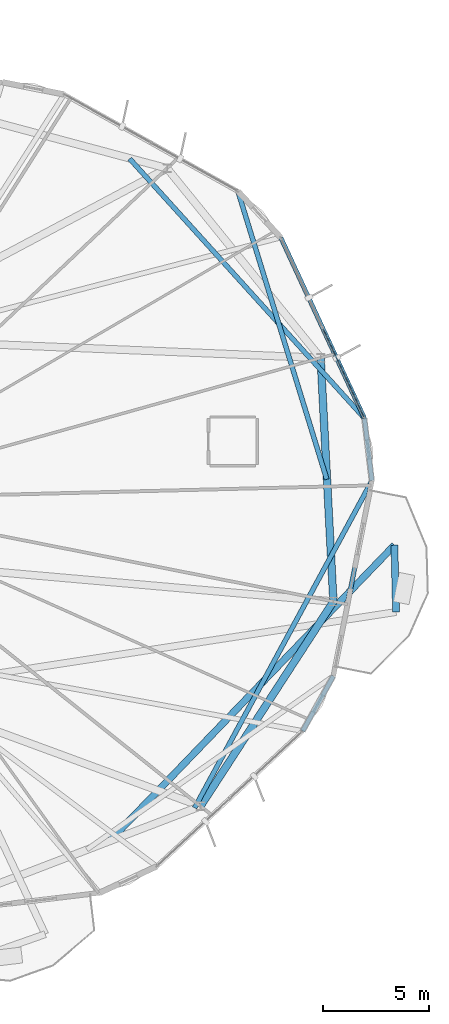
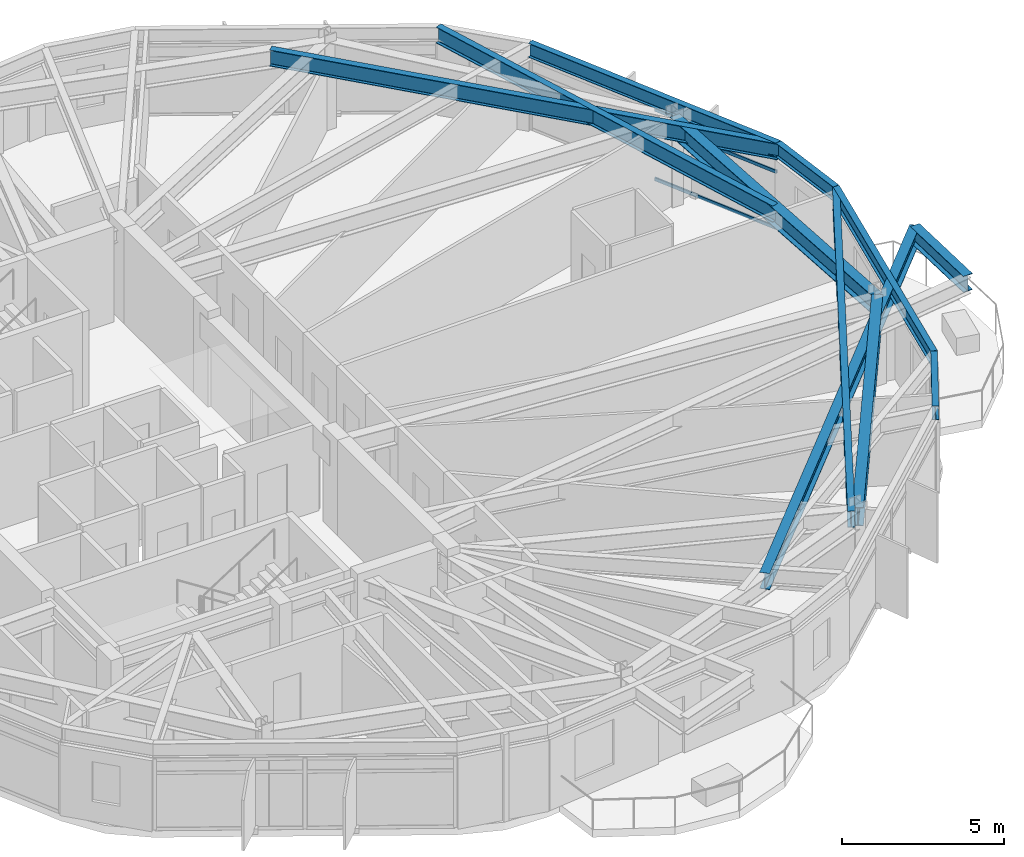
# One storey, part 10 of 25: 11 beams, 3 members, 1 element without a shape of its own.
"""IFC4 building model written with IfcOpenShell, lengths in metres."""

from ifc_helpers import new_model, si_unit, direction, frame, origin, origin_2d, place, context, subcontext, project, spatial, hollow_rectangle, i_section, extrude, material, layer, layer_set, material_profile, profile_set, type_object, element, aggregate, save


model = new_model("IFC4")

# Units and contexts
model_context = context("Model", 3, precision=1e-05, world=origin(), true_north=direction((0.0, 1.0)))
body_context = subcontext(model_context, "Body", "Model", "MODEL_VIEW")
ifc_project = project(units=[si_unit("LENGTHUNIT", "METRE"), si_unit("AREAUNIT", "SQUARE_METRE"), si_unit("VOLUMEUNIT", "CUBIC_METRE"), si_unit("PLANEANGLEUNIT", "RADIAN"), si_unit("MASSUNIT", "GRAM", prefix="KILO")], contexts=[model_context])

# Site, building, storey
site_placement = place(None, origin())
site = spatial("IfcSite", under=ifc_project, at=site_placement, CompositionType="ELEMENT")
building_placement = place(site_placement, origin())
building = spatial("IfcBuilding", under=site, at=building_placement, Name="Soratama Intermodal Tower", CompositionType="ELEMENT")
storey_placement = place(building_placement, frame((0.0, 0.0, 190.60009765625)))
storey = spatial("IfcBuildingStorey", under=building, at=storey_placement, Name="L47", CompositionType="ELEMENT", Elevation=190.60009765625)

# Beams
ifc_material_1 = material(Name="Structural steel ASTM A992 Grade 50", Category="steel")
ifc_material_profile_1 = material_profile(ifc_material_1, i_section(OverallWidth=0.324951171875, OverallDepth=0.615966796875, WebThickness=0.013916015625, FlangeThickness=0.021484375, FilletRadius=0.013916015625, at=origin_2d()), Name="W24X117")
ifc_profile_set_1 = profile_set([ifc_material_profile_1], Name="Structural steel ASTM A992 Grade 50")
beam_type_1 = type_object("IfcBeamType", Name="BM-CANT-W24X117", PredefinedType="BEAM", material=ifc_profile_set_1)
beam_1_placement = place(storey_placement, frame((65.9169921875, 19.69189453125, 2.991943359375), z_axis=(-0.024110863859, 0.999709290866, 0.0), x_axis=(-0.999709290866, -0.024110863859, 0.0)))
element("IfcBeam", 1, at=beam_1_placement, inside=storey, type_object=beam_type_1, Name="BM-L47-CBHDR-1", PredefinedType="BEAM", context=body_context, shape_type="SweptSolid", body=[
    extrude(i_section(OverallWidth=0.324951171875, OverallDepth=0.615966796875, WebThickness=0.013916015625, FlangeThickness=0.021484375, FilletRadius=0.013916015625, at=origin_2d()), origin(), (0.0, 0.0, 1.0), 3.149169921875),
])
beam_2_placement = place(storey_placement, frame((52.446044921875, 8.927978515625, 2.991943359375), z_axis=(0.693592612754, 0.720367467014, 0.0), x_axis=(-0.720367467014, 0.693592612754, 0.0)))
element("IfcBeam", 2, at=beam_2_placement, inside=storey, type_object=beam_type_1, Name="BM-L47-CANT-1-2", PredefinedType="BEAM", context=body_context, shape_type="SweptSolid", body=[
    extrude(i_section(OverallWidth=0.324951171875, OverallDepth=0.615966796875, WebThickness=0.013916015625, FlangeThickness=0.021484375, FilletRadius=0.013916015625, at=origin_2d()), origin(), (0.0, 0.0, 1.0), 19.3125),
])
ifc_material_2 = material(Name="Structural steel ASTM A992 Grade 50", Category="steel")
ifc_material_profile_2 = material_profile(ifc_material_2, i_section(OverallWidth=0.35498046875, OverallDepth=0.695068359375, WebThickness=0.015380859375, FlangeThickness=0.02490234375, FilletRadius=0.01611328125, at=origin_2d()), Name="W27X146")
ifc_profile_set_2 = profile_set([ifc_material_profile_2], Name="Structural steel ASTM A992 Grade 50")
beam_type_2 = type_object("IfcBeamType", Name="BM-RING-W27X146", PredefinedType="BEAM", material=ifc_profile_set_2)
for number, where, z_axis, x_axis, name in (
    (3, (56.705078125, 10.544921875, 2.952392578125), (0.544637453764, 0.83867159482, 0.0), (-0.83867159482, 0.544637453764, 0.0), "BM-L47-RING-09"),
    (4, (62.966064453125, 20.18603515625, 2.952392578125), (-0.052286849724, 0.998632107108, 0.0), (-0.998632107108, -0.052286849724, 0.0), "BM-L47-RING-10"),
):
    element("IfcBeam", number, at=place(storey_placement, frame(where, z_axis=z_axis, x_axis=x_axis)), inside=storey, type_object=beam_type_2, Name=name, PredefinedType="BEAM", context=body_context, shape_type="SweptSolid", body=[
        extrude(i_section(OverallWidth=0.35498046875, OverallDepth=0.695068359375, WebThickness=0.015380859375, FlangeThickness=0.02490234375, FilletRadius=0.01611328125, at=origin_2d()), origin(), (0.0, 0.0, 1.0), 11.49560546875),
    ])
ifc_material_3 = material(Name="Structural steel ASTM A992 Grade 50", Category="steel")
ifc_material_profile_3 = material_profile(ifc_material_3, i_section(OverallWidth=0.2099609375, OverallDepth=0.537109375, WebThickness=0.010986328125, FlangeThickness=0.017333984375, FilletRadius=0.012939453125, at=origin_2d()), Name="W21X68")
ifc_profile_set_3 = profile_set([ifc_material_profile_3], Name="Structural steel ASTM A992 Grade 50")
beam_type_3 = type_object("IfcBeamType", Name="BM-SPN-W21X68", PredefinedType="SPANDREL", material=ifc_profile_set_3)
beam_3_placement = place(storey_placement, frame((61.52001953125, 14.083984375, 3.031494140625), z_axis=(0.487472689611, 0.873138234693, 0.0), x_axis=(-0.873138234693, 0.487472689611, 0.0)))
element("IfcBeam", 5, at=beam_3_placement, inside=storey, type_object=beam_type_3, Name="BS-L47-CRN08", PredefinedType="SPANDREL", context=body_context, shape_type="SweptSolid", body=[
    extrude(i_section(OverallWidth=0.2099609375, OverallDepth=0.537109375, WebThickness=0.010986328125, FlangeThickness=0.017333984375, FilletRadius=0.012939453125, at=origin_2d()), origin(), (0.0, 0.0, 1.0), 2.96630859375),
])
beam_4_placement = place(storey_placement, frame((62.966064453125, 16.674072265625, 3.031494140625), z_axis=(0.193548336451, 0.981090740685, 0.0), x_axis=(-0.981090740685, 0.193548336451, 0.0)))
element("IfcBeam", 6, at=beam_4_placement, inside=storey, type_object=beam_type_3, Name="BS-L47-F09", PredefinedType="SPANDREL", context=body_context, shape_type="SweptSolid", body=[
    extrude(i_section(OverallWidth=0.2099609375, OverallDepth=0.537109375, WebThickness=0.010986328125, FlangeThickness=0.017333984375, FilletRadius=0.012939453125, at=origin_2d()), origin(), (0.0, 0.0, 1.0), 9.38232421875),
])
beam_5_placement = place(storey_placement, frame((64.781982421875, 25.87890625, 3.031494140625), z_axis=(-0.119018640537, 0.992892019912, 0.0), x_axis=(-0.992892019912, -0.119018640537, 0.0)))
element("IfcBeam", 7, at=beam_5_placement, inside=storey, type_object=beam_type_3, Name="BS-L47-CRN09", PredefinedType="SPANDREL", context=body_context, shape_type="SweptSolid", body=[
    extrude(i_section(OverallWidth=0.2099609375, OverallDepth=0.537109375, WebThickness=0.010986328125, FlangeThickness=0.017333984375, FilletRadius=0.012939453125, at=origin_2d()), origin(), (0.0, 0.0, 1.0), 2.966064453125),
])
beam_6_placement = place(storey_placement, frame((64.428955078125, 28.823974609375, 3.031494140625), z_axis=(-0.42009738027, 0.907479030661, 0.0), x_axis=(-0.907479030661, -0.42009738027, 0.0)))
element("IfcBeam", 8, at=beam_6_placement, inside=storey, type_object=beam_type_3, Name="BS-L47-F10", PredefinedType="SPANDREL", context=body_context, shape_type="SweptSolid", body=[
    extrude(i_section(OverallWidth=0.2099609375, OverallDepth=0.537109375, WebThickness=0.010986328125, FlangeThickness=0.017333984375, FilletRadius=0.012939453125, at=origin_2d()), origin(), (0.0, 0.0, 1.0), 9.38330078125),
])
ifc_material_4 = material(Name="Structural steel ASTM A992 Grade 50", Category="steel")
ifc_material_profile_4 = material_profile(ifc_material_4, i_section(OverallWidth=0.22900390625, OverallDepth=0.612060546875, WebThickness=0.011962890625, FlangeThickness=0.01953125, FilletRadius=0.012939453125, at=origin_2d()), Name="W24X84")
ifc_profile_set_4 = profile_set([ifc_material_profile_4], Name="Structural steel ASTM A992 Grade 50")
beam_type_4 = type_object("IfcBeamType", Name="BM-TIE-W24X84", PredefinedType="BEAM", material=ifc_profile_set_4)
beam_7_placement = place(storey_placement, frame((62.655029296875, 25.94189453125, 2.993896484375), z_axis=(-0.294668018367, 0.955599685512, 0.0), x_axis=(-0.955599685512, -0.294668018367, 0.0)))
element("IfcBeam", 9, at=beam_7_placement, inside=storey, type_object=beam_type_4, Name="BM-L47-TIE0-01", PredefinedType="BEAM", context=body_context, shape_type="SweptSolid", body=[
    extrude(i_section(OverallWidth=0.22900390625, OverallDepth=0.612060546875, WebThickness=0.011962890625, FlangeThickness=0.01953125, FilletRadius=0.012939453125, at=origin_2d()), origin(), (0.0, 0.0, 1.0), 14.20263671875),
])
beam_8_placement = place(storey_placement, frame((56.428955078125, 10.467041015625, 2.993896484375), z_axis=(0.476500732723, 0.879174073614, 0.0), x_axis=(-0.879174073614, 0.476500732723, 0.0)))
element("IfcBeam", 10, at=beam_8_placement, inside=storey, type_object=beam_type_4, Name="BM-L47-TIE1-09", PredefinedType="BEAM", context=body_context, shape_type="SweptSolid", body=[
    extrude(i_section(OverallWidth=0.22900390625, OverallDepth=0.612060546875, WebThickness=0.011962890625, FlangeThickness=0.01953125, FilletRadius=0.012939453125, at=origin_2d()), origin(), (0.0, 0.0, 1.0), 17.530029296875),
])
beam_9_placement = place(storey_placement, frame((53.368896484375, 41.049072265625, 2.993896484375), z_axis=(0.670888506102, -0.741558232629, 0.0), x_axis=(0.741558232629, 0.670888506102, 0.0)))
element("IfcBeam", 11, at=beam_9_placement, inside=storey, type_object=beam_type_4, Name="BM-L47-TIE0-10", PredefinedType="BEAM", context=body_context, shape_type="SweptSolid", body=[
    extrude(i_section(OverallWidth=0.22900390625, OverallDepth=0.612060546875, WebThickness=0.011962890625, FlangeThickness=0.01953125, FilletRadius=0.012939453125, at=origin_2d()), origin(), (0.0, 0.0, 1.0), 16.485595703125),
])

# Curtain wall, members
ifc_material_5 = material(Name="Double-glazed aluminium curtain wall", Category="aluminium")
ifc_layer = layer(ifc_material_5, 0.159912109375)
ifc_layer_set = layer_set([ifc_layer], Name="Double-glazed aluminium curtain wall")
curtain_wall_type = type_object("IfcCurtainWallType", Name="CW-SYS-5", PredefinedType="NOTDEFINED", material=ifc_layer_set)
curtain_wall_placement = place(storey_placement, origin())
curtain_wall = element("IfcCurtainWall", 12, at=curtain_wall_placement, inside=storey, type_object=curtain_wall_type, Name="L47 Faceted Curtain Wall F10", PredefinedType="NOTDEFINED")
ifc_material_6 = material(Name="Anodised aluminium AA 6063-T6", Category="aluminium")
ifc_material_profile_5 = material_profile(ifc_material_6, hollow_rectangle(XDim=0.06005859375, YDim=0.1298828125, WallThickness=0.0048828125, InnerFilletRadius=0.0048828125, OuterFilletRadius=0.010009765625, at=origin_2d()), Name="CWT130X60X5")
ifc_profile_set_5 = profile_set([ifc_material_profile_5], Name="Anodised aluminium AA 6063-T6")
member_type = type_object("IfcMemberType", Name="TT-CWT-2", PredefinedType="USERDEFINED", material=ifc_profile_set_5)
member_1_placement = place(storey_placement, frame((64.4033203125, 28.87890625, 0.02978515625), z_axis=(-0.420097673445, 0.907478894942, 0.0), x_axis=(-0.907478894942, -0.420097673445, 0.0)))
member_1 = element("IfcMember", 13, at=member_1_placement, type_object=member_type, Name="CW-5 transom 1.1", ObjectType="TRANSOM", PredefinedType="USERDEFINED", context=body_context, shape_type="SweptSolid", body=[
    extrude(hollow_rectangle(XDim=0.06005859375, YDim=0.1298828125, WallThickness=0.0048828125, InnerFilletRadius=0.0048828125, OuterFilletRadius=0.010009765625, at=origin_2d()), origin(), (0.0, 0.0, 1.0), 4.60107421875),
])
member_2_placement = place(storey_placement, frame((64.4033203125, 28.87890625, 2.14990234375), z_axis=(-0.420097673445, 0.907478894942, 0.0), x_axis=(-0.907478894942, -0.420097673445, 0.0)))
member_2 = element("IfcMember", 14, at=member_2_placement, type_object=member_type, Name="CW-5 transom 1.2", ObjectType="TRANSOM", PredefinedType="USERDEFINED", context=body_context, shape_type="SweptSolid", body=[
    extrude(hollow_rectangle(XDim=0.06005859375, YDim=0.1298828125, WallThickness=0.0048828125, InnerFilletRadius=0.0048828125, OuterFilletRadius=0.010009765625, at=origin_2d()), origin(), (0.0, 0.0, 1.0), 4.60107421875),
])
member_3_placement = place(storey_placement, frame((64.4033203125, 28.87890625, 2.64892578125), z_axis=(-0.420097673445, 0.907478894942, 0.0), x_axis=(-0.907478894942, -0.420097673445, 0.0)))
member_3 = element("IfcMember", 15, at=member_3_placement, type_object=member_type, Name="CW-5 transom 1.3", ObjectType="TRANSOM", PredefinedType="USERDEFINED", context=body_context, shape_type="SweptSolid", body=[
    extrude(hollow_rectangle(XDim=0.06005859375, YDim=0.1298828125, WallThickness=0.0048828125, InnerFilletRadius=0.0048828125, OuterFilletRadius=0.010009765625, at=origin_2d()), origin(), (0.0, 0.0, 1.0), 4.60107421875),
])
aggregate(curtain_wall, [member_1, member_2, member_3])

save(model, "model.ifc")
